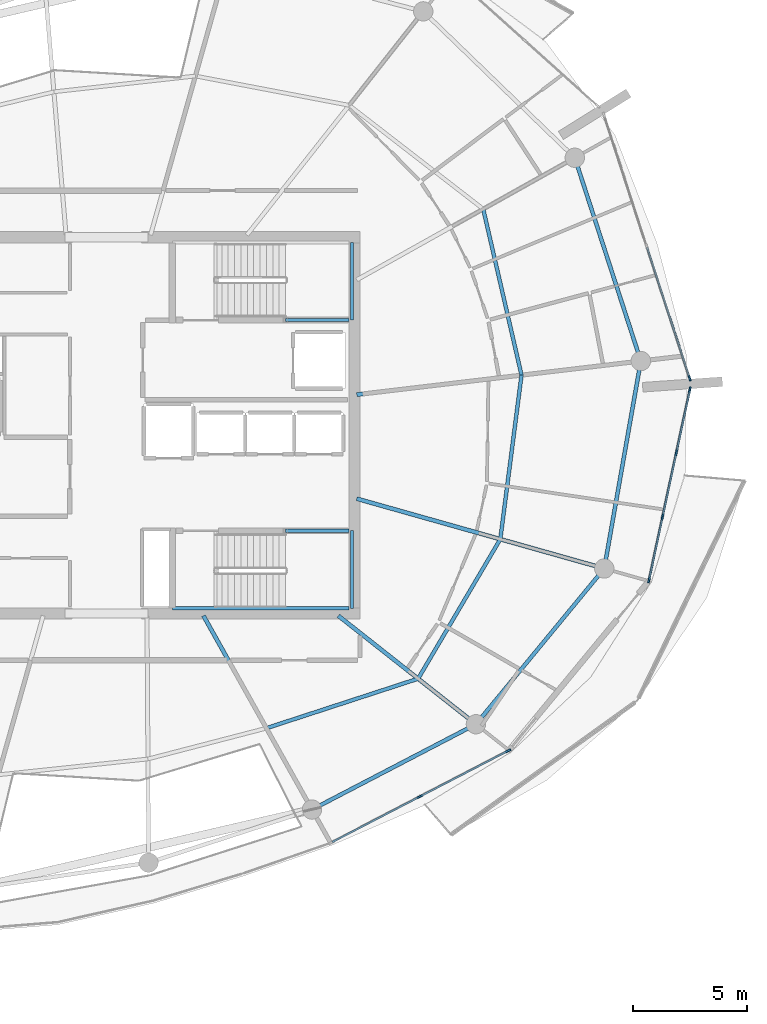
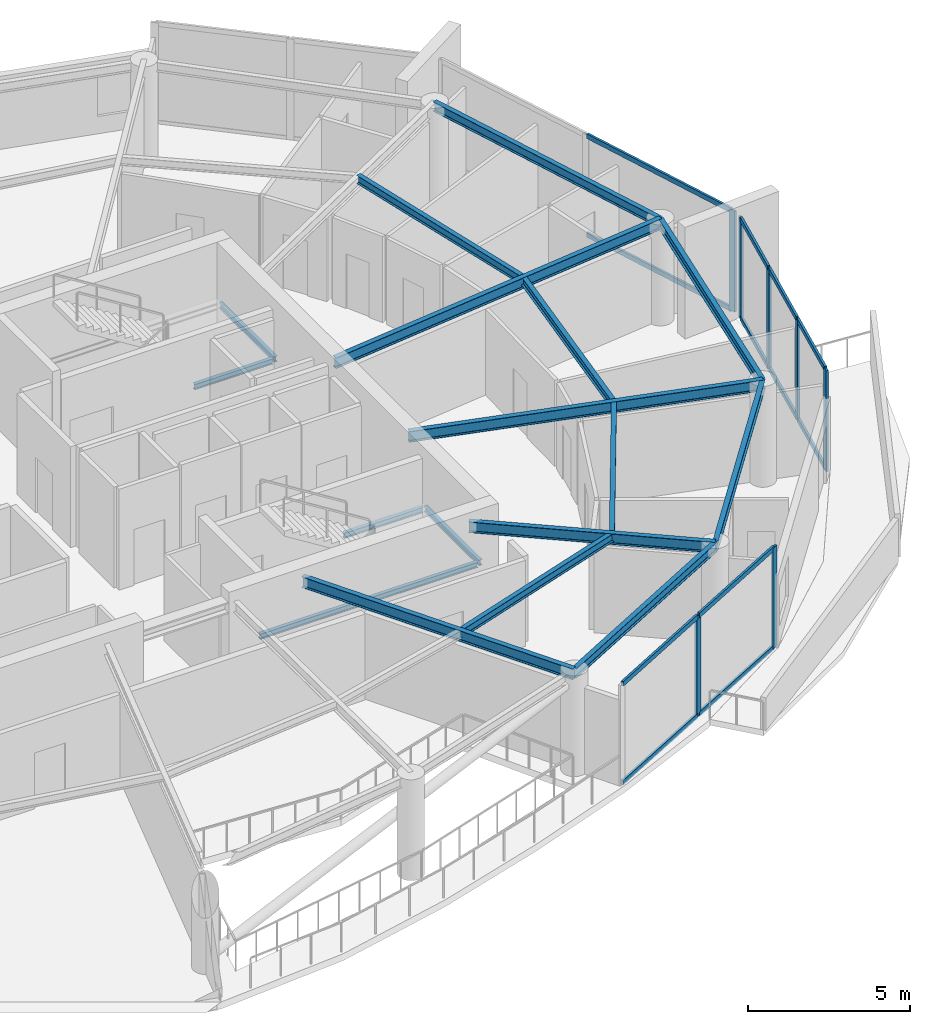
# One storey, part 6 of 21: 19 members, 17 beams, 3 elements without a shape of their own.
"""IFC4 building model written with IfcOpenShell, lengths in metres."""

from ifc_helpers import new_model, si_unit, direction, frame, origin, origin_2d, place, context, subcontext, project, spatial, rectangle, i_section, extrude, material, layer, layer_set, material_profile, profile_set, type_object, element, aggregate, save


model = new_model("IFC4")

# Units and contexts
model_context = context("Model", 3, precision=1e-05, world=origin(), true_north=direction((0.0, 1.0)))
body_context = subcontext(model_context, "Body", "Model", "MODEL_VIEW")
ifc_project = project(units=[si_unit("LENGTHUNIT", "METRE"), si_unit("AREAUNIT", "SQUARE_METRE"), si_unit("VOLUMEUNIT", "CUBIC_METRE"), si_unit("PLANEANGLEUNIT", "RADIAN"), si_unit("MASSUNIT", "GRAM", prefix="KILO")], contexts=[model_context])

# Site, building, storey
site_placement = place(None, origin())
site = spatial("IfcSite", under=ifc_project, at=site_placement, CompositionType="ELEMENT")
building_placement = place(site_placement, origin())
building = spatial("IfcBuilding", under=site, at=building_placement, Name="Kazma Halo Residences", CompositionType="ELEMENT")
storey_placement = place(building_placement, frame((0.0, 0.0, 338.89990234375)))
storey = spatial("IfcBuildingStorey", under=building, at=storey_placement, Name="L85", CompositionType="ELEMENT", Elevation=338.89990234375)

# Beams
ifc_material_1 = material(Name="Steel S355", Category="steel")
ifc_material_profile_1 = material_profile(ifc_material_1, i_section(OverallWidth=0.177978515625, OverallDepth=0.406982421875, WebThickness=0.0078125, FlangeThickness=0.0126953125, FilletRadius=0.013916015625, at=origin_2d()), Name="W410x60")
ifc_profile_set_1 = profile_set([ifc_material_profile_1], Name="Steel S355")
beam_type_1 = type_object("IfcBeamType", Name="BM-RAD-W410", PredefinedType="BEAM", material=ifc_profile_set_1)
beam_1_placement = place(storey_placement, frame((52.67626953125, 33.64990234375, 3.5966796875), z_axis=(0.488620919127, -0.872496187608, 0.0), x_axis=(0.872496187608, 0.488620919127, 0.0)))
element("IfcBeam", 1, at=beam_1_placement, inside=storey, type_object=beam_type_1, Name="L85 radial floor beam 13", PredefinedType="BEAM", context=body_context, shape_type="SweptSolid", body=[
    extrude(i_section(OverallWidth=0.177978515625, OverallDepth=0.406982421875, WebThickness=0.0078125, FlangeThickness=0.0126953125, FilletRadius=0.013916015625, at=origin_2d()), origin(), (0.0, 0.0, 1.0), 9.74267578125),
])
beam_2_placement = place(storey_placement, frame((58.591796875, 33.64990234375, 3.5966796875), z_axis=(0.785337192403, -0.619068246826, 0.0), x_axis=(0.619068246826, 0.785337192403, 0.0)))
element("IfcBeam", 2, at=beam_2_placement, inside=storey, type_object=beam_type_1, Name="L85 radial floor beam 14", PredefinedType="BEAM", context=body_context, shape_type="SweptSolid", body=[
    extrude(i_section(OverallWidth=0.177978515625, OverallDepth=0.406982421875, WebThickness=0.0078125, FlangeThickness=0.0126953125, FilletRadius=0.013916015625, at=origin_2d()), origin(), (0.0, 0.0, 1.0), 7.683837890625),
])
beam_3_placement = place(storey_placement, frame((59.39990234375, 38.784912109375, 3.5966796875), z_axis=(0.962457650844, -0.271431888937, 0.0), x_axis=(0.271431888937, 0.962457650844, 0.0)))
element("IfcBeam", 3, at=beam_3_placement, inside=storey, type_object=beam_type_1, Name="L85 radial floor beam 15", PredefinedType="BEAM", context=body_context, shape_type="SweptSolid", body=[
    extrude(i_section(OverallWidth=0.177978515625, OverallDepth=0.406982421875, WebThickness=0.0078125, FlangeThickness=0.0126953125, FilletRadius=0.013916015625, at=origin_2d()), origin(), (0.0, 0.0, 1.0), 11.279052734375),
])
beam_4_placement = place(storey_placement, frame((59.39990234375, 43.349365234375, 3.5966796875), z_axis=(0.993067878665, 0.117542283299, 0.0), x_axis=(-0.117542283299, 0.993067878665, 0.0)))
element("IfcBeam", 4, at=beam_4_placement, inside=storey, type_object=beam_type_1, Name="L85 radial floor beam 16", PredefinedType="BEAM", context=body_context, shape_type="SweptSolid", body=[
    extrude(i_section(OverallWidth=0.177978515625, OverallDepth=0.406982421875, WebThickness=0.0078125, FlangeThickness=0.0126953125, FilletRadius=0.013916015625, at=origin_2d()), origin(), (0.0, 0.0, 1.0), 12.54736328125),
])
ifc_material_profile_2 = material_profile(ifc_material_1, i_section(OverallWidth=0.1650390625, OverallDepth=0.31005859375, WebThickness=0.005859375, FlangeThickness=0.009765625, FilletRadius=0.011962890625, at=origin_2d()), Name="W310x38.7")
ifc_profile_set_2 = profile_set([ifc_material_profile_2], Name="Steel S355")
beam_type_2 = type_object("IfcBeamType", Name="BM-SEC-W310B", PredefinedType="JOIST", material=ifc_profile_set_2)
beam_5_placement = place(storey_placement, frame((55.437255859375, 28.719482421875, 3.64501953125), z_axis=(0.950669705102, 0.310204951285, 0.0), x_axis=(-0.310204951285, 0.950669705102, 0.0)))
element("IfcBeam", 5, at=beam_5_placement, inside=storey, type_object=beam_type_2, Name="L85 circumferential floor joist 13", PredefinedType="JOIST", context=body_context, shape_type="SweptSolid", body=[
    extrude(i_section(OverallWidth=0.1650390625, OverallDepth=0.31005859375, WebThickness=0.005859375, FlangeThickness=0.009765625, FilletRadius=0.011962890625, at=origin_2d()), origin(), (0.0, 0.0, 1.0), 6.999755859375),
])
beam_6_placement = place(storey_placement, frame((62.091796875, 30.890869140625, 3.64501953125), z_axis=(0.507587951178, 0.861599948827, 0.0), x_axis=(-0.861599948827, 0.507587951178, 0.0)))
element("IfcBeam", 6, at=beam_6_placement, inside=storey, type_object=beam_type_2, Name="L85 circumferential floor joist 14", PredefinedType="JOIST", context=body_context, shape_type="SweptSolid", body=[
    extrude(i_section(OverallWidth=0.1650390625, OverallDepth=0.31005859375, WebThickness=0.005859375, FlangeThickness=0.009765625, FilletRadius=0.011962890625, at=origin_2d()), origin(), (0.0, 0.0, 1.0), 7.101318359375),
])
beam_7_placement = place(storey_placement, frame((65.6962890625, 37.00927734375, 3.64501953125), z_axis=(0.128274562315, 0.991738693741, 0.0), x_axis=(-0.991738693741, 0.128274562315, 0.0)))
element("IfcBeam", 7, at=beam_7_placement, inside=storey, type_object=beam_type_2, Name="L85 circumferential floor joist 15", PredefinedType="JOIST", context=body_context, shape_type="SweptSolid", body=[
    extrude(i_section(OverallWidth=0.1650390625, OverallDepth=0.31005859375, WebThickness=0.005859375, FlangeThickness=0.009765625, FilletRadius=0.011962890625, at=origin_2d()), origin(), (0.0, 0.0, 1.0), 7.25537109375),
])
beam_8_placement = place(storey_placement, frame((66.626953125, 44.20458984375, 3.64501953125), z_axis=(-0.224709269338, 0.974425853656, 0.0), x_axis=(-0.974425853656, -0.224709269338, 0.0)))
element("IfcBeam", 8, at=beam_8_placement, inside=storey, type_object=beam_type_2, Name="L85 circumferential floor joist 16", PredefinedType="JOIST", context=body_context, shape_type="SweptSolid", body=[
    extrude(i_section(OverallWidth=0.1650390625, OverallDepth=0.31005859375, WebThickness=0.005859375, FlangeThickness=0.009765625, FilletRadius=0.011962890625, at=origin_2d()), origin(), (0.0, 0.0, 1.0), 7.47705078125),
])
ifc_material_profile_3 = material_profile(ifc_material_1, i_section(OverallWidth=0.1708984375, OverallDepth=0.35498046875, WebThickness=0.007080078125, FlangeThickness=0.01171875, FilletRadius=0.013916015625, at=origin_2d()), Name="W360x51")
ifc_profile_set_3 = profile_set([ifc_material_profile_3], Name="Steel S355")
beam_type_3 = type_object("IfcBeamType", Name="BM-SPN-W360", PredefinedType="BEAM", material=ifc_profile_set_3)
beam_9_placement = place(storey_placement, frame((57.436767578125, 25.1494140625, 3.62255859375), z_axis=(0.886957269655, 0.461851493238, 0.0), x_axis=(-0.461851493238, 0.886957269655, 0.0)))
element("IfcBeam", 9, at=beam_9_placement, inside=storey, type_object=beam_type_3, Name="L85 perimeter ring beam 13", PredefinedType="BEAM", context=body_context, shape_type="SweptSolid", body=[
    extrude(i_section(OverallWidth=0.1708984375, OverallDepth=0.35498046875, WebThickness=0.007080078125, FlangeThickness=0.01171875, FilletRadius=0.013916015625, at=origin_2d()), origin(), (0.0, 0.0, 1.0), 8.105712890625),
])
beam_10_placement = place(storey_placement, frame((64.626220703125, 28.89306640625, 3.62255859375), z_axis=(0.636004986424, 0.771684946881, 0.0), x_axis=(-0.771684946881, 0.636004986424, 0.0)))
element("IfcBeam", 10, at=beam_10_placement, inside=storey, type_object=beam_type_3, Name="L85 perimeter ring beam 14", PredefinedType="BEAM", context=body_context, shape_type="SweptSolid", body=[
    extrude(i_section(OverallWidth=0.1708984375, OverallDepth=0.35498046875, WebThickness=0.007080078125, FlangeThickness=0.01171875, FilletRadius=0.013916015625, at=origin_2d()), origin(), (0.0, 0.0, 1.0), 8.85107421875),
])
beam_11_placement = place(storey_placement, frame((70.255615234375, 35.723388671875, 3.62255859375), z_axis=(0.173649692956, 0.984807485825, 0.0), x_axis=(-0.984807485825, 0.173649692956, 0.0)))
element("IfcBeam", 11, at=beam_11_placement, inside=storey, type_object=beam_type_3, Name="L85 perimeter ring beam 15", PredefinedType="BEAM", context=body_context, shape_type="SweptSolid", body=[
    extrude(i_section(OverallWidth=0.1708984375, OverallDepth=0.35498046875, WebThickness=0.007080078125, FlangeThickness=0.01171875, FilletRadius=0.013916015625, at=origin_2d()), origin(), (0.0, 0.0, 1.0), 9.2412109375),
])
beam_12_placement = place(storey_placement, frame((71.8603515625, 44.82421875, 3.62255859375), z_axis=(-0.309023062674, 0.951054544564, 0.0), x_axis=(-0.951054544564, -0.309023062674, 0.0)))
element("IfcBeam", 12, at=beam_12_placement, inside=storey, type_object=beam_type_3, Name="L85 perimeter ring beam 16", PredefinedType="BEAM", context=body_context, shape_type="SweptSolid", body=[
    extrude(i_section(OverallWidth=0.1708984375, OverallDepth=0.35498046875, WebThickness=0.007080078125, FlangeThickness=0.01171875, FilletRadius=0.013916015625, at=origin_2d()), origin(), (0.0, 0.0, 1.0), 9.37451171875),
])
ifc_material_profile_4 = material_profile(ifc_material_1, i_section(OverallWidth=0.133056640625, OverallDepth=0.20703125, WebThickness=0.005859375, FlangeThickness=0.00830078125, FilletRadius=0.010009765625, at=origin_2d()), Name="W200x26.6")
ifc_profile_set_4 = profile_set([ifc_material_profile_4], Name="Steel S355")
beam_type_4 = type_object("IfcBeamType", Name="BM-TRIM-W200", PredefinedType="BEAM", material=ifc_profile_set_4)
beam_13_placement = place(storey_placement, frame((56.280029296875, 46.6201171875, 1.795166015625), z_axis=(1.0, 0.0, 0.0), x_axis=(0.0, 1.0, 0.0)))
element("IfcBeam", 13, at=beam_13_placement, inside=storey, type_object=beam_type_4, Name="L85 ST-02 landing south wall ledger", PredefinedType="BEAM", context=body_context, shape_type="SweptSolid", body=[
    extrude(i_section(OverallWidth=0.133056640625, OverallDepth=0.20703125, WebThickness=0.005859375, FlangeThickness=0.00830078125, FilletRadius=0.010009765625, at=origin_2d()), origin(), (0.0, 0.0, 1.0), 2.7900390625),
])
beam_14_placement = place(storey_placement, frame((59.18994140625, 46.6201171875, 1.795166015625), z_axis=(0.0, 1.0, 0.0), x_axis=(-1.0, 0.0, 0.0)))
element("IfcBeam", 14, at=beam_14_placement, inside=storey, type_object=beam_type_4, Name="L85 ST-02 landing end wall ledger", PredefinedType="BEAM", context=body_context, shape_type="SweptSolid", body=[
    extrude(i_section(OverallWidth=0.133056640625, OverallDepth=0.20703125, WebThickness=0.005859375, FlangeThickness=0.00830078125, FilletRadius=0.010009765625, at=origin_2d()), origin(), (0.0, 0.0, 1.0), 3.39990234375),
])
beam_15_placement = place(storey_placement, frame((51.31005859375, 33.97998046875, 1.795166015625), z_axis=(1.0, 0.0, 0.0), x_axis=(0.0, 1.0, 0.0)))
element("IfcBeam", 15, at=beam_15_placement, inside=storey, type_object=beam_type_4, Name="L85 ST-03 landing south wall ledger", PredefinedType="BEAM", context=body_context, shape_type="SweptSolid", body=[
    extrude(i_section(OverallWidth=0.133056640625, OverallDepth=0.20703125, WebThickness=0.005859375, FlangeThickness=0.00830078125, FilletRadius=0.010009765625, at=origin_2d()), origin(), (0.0, 0.0, 1.0), 7.760009765625),
])
beam_16_placement = place(storey_placement, frame((56.280029296875, 37.3798828125, 1.795166015625), z_axis=(1.0, 0.0, 0.0), x_axis=(0.0, 1.0, 0.0)))
element("IfcBeam", 16, at=beam_16_placement, inside=storey, type_object=beam_type_4, Name="L85 ST-03 landing north wall ledger", PredefinedType="BEAM", context=body_context, shape_type="SweptSolid", body=[
    extrude(i_section(OverallWidth=0.133056640625, OverallDepth=0.20703125, WebThickness=0.005859375, FlangeThickness=0.00830078125, FilletRadius=0.010009765625, at=origin_2d()), origin(), (0.0, 0.0, 1.0), 2.7900390625),
])
beam_17_placement = place(storey_placement, frame((59.18994140625, 33.97998046875, 1.795166015625), z_axis=(0.0, 1.0, 0.0), x_axis=(-1.0, 0.0, 0.0)))
element("IfcBeam", 17, at=beam_17_placement, inside=storey, type_object=beam_type_4, Name="L85 ST-03 landing end wall ledger", PredefinedType="BEAM", context=body_context, shape_type="SweptSolid", body=[
    extrude(i_section(OverallWidth=0.133056640625, OverallDepth=0.20703125, WebThickness=0.005859375, FlangeThickness=0.00830078125, FilletRadius=0.010009765625, at=origin_2d()), origin(), (0.0, 0.0, 1.0), 3.39990234375),
])

# Curtain wall, members
ifc_material_2 = material(Name="Aluminium AW-6063 T6 and Triple-Silver Low-E Glass", Category="aluminium")
ifc_layer = layer(ifc_material_2, 0.239990234375)
ifc_layer_set = layer_set([ifc_layer], Name="Aluminium AW-6063 T6 and Triple-Silver Low-E Glass")
curtain_wall_type = type_object("IfcCurtainWallType", Name="CW-SYS-6", PredefinedType="NOTDEFINED", material=ifc_layer_set)
curtain_wall_1_placement = place(storey_placement, origin())
curtain_wall_1 = element("IfcCurtainWall", 18, at=curtain_wall_1_placement, inside=storey, type_object=curtain_wall_type, Name="L85 unitised curtain wall B13", PredefinedType="NOTDEFINED")
ifc_material_3 = material(Name="Aluminium AW-6063 T6", Category="aluminium")
ifc_material_profile_5 = material_profile(ifc_material_3, rectangle(XDim=0.080078125, YDim=0.239990234375, at=origin_2d()), Name="CWM-80x240")
ifc_profile_set_5 = profile_set([ifc_material_profile_5], Name="Aluminium AW-6063 T6")
member_type_1 = type_object("IfcMemberType", Name="CW-SYS-6-MUL", PredefinedType="MULLION", material=ifc_profile_set_5)
member_1_placement = place(storey_placement, frame((62.16552734375, 25.71923828125, 0.0), z_axis=(0.0, 0.0, 1.0), x_axis=(-0.460796020861, 0.887506071618, 0.0)))
member_1 = element("IfcMember", 19, at=member_1_placement, type_object=member_type_1, Name="CWS-6 mullion 2", PredefinedType="MULLION", context=body_context, shape_type="SweptSolid", body=[
    extrude(rectangle(XDim=0.080078125, YDim=0.239990234375, at=origin_2d()), origin(), (0.0, 0.0, 1.0), 3.800048828125),
])
member_2_placement = place(storey_placement, frame((66.041015625, 27.731201171875, 0.0), z_axis=(0.0, 0.0, 1.0), x_axis=(-0.460796020861, 0.887506071618, 0.0)))
member_2 = element("IfcMember", 20, at=member_2_placement, type_object=member_type_1, Name="CWS-6 mullion 3", PredefinedType="MULLION", context=body_context, shape_type="SweptSolid", body=[
    extrude(rectangle(XDim=0.080078125, YDim=0.239990234375, at=origin_2d()), origin(), (0.0, 0.0, 1.0), 3.800048828125),
])

curtain_wall_2_placement = place(storey_placement, origin())
curtain_wall_2 = element("IfcCurtainWall", 21, at=curtain_wall_2_placement, inside=storey, type_object=curtain_wall_type, Name="L85 unitised curtain wall B15", PredefinedType="NOTDEFINED")
member_3_placement = place(storey_placement, frame((72.2158203125, 35.2119140625, 0.0), z_axis=(0.0, 0.0, 1.0), x_axis=(-0.977760865363, 0.209722888986, 0.0)))
member_3 = element("IfcMember", 22, at=member_3_placement, type_object=member_type_1, Name="CWS-6 mullion 1", PredefinedType="MULLION", context=body_context, shape_type="SweptSolid", body=[
    extrude(rectangle(XDim=0.080078125, YDim=0.239990234375, at=origin_2d()), origin(), (0.0, 0.0, 1.0), 3.800048828125),
])
member_4_placement = place(storey_placement, frame((72.81103515625, 37.986572265625, 0.0), z_axis=(0.0, 0.0, 1.0), x_axis=(-0.977760865363, 0.209722888986, 0.0)))
member_4 = element("IfcMember", 23, at=member_4_placement, type_object=member_type_1, Name="CWS-6 mullion 2", PredefinedType="MULLION", context=body_context, shape_type="SweptSolid", body=[
    extrude(rectangle(XDim=0.080078125, YDim=0.239990234375, at=origin_2d()), origin(), (0.0, 0.0, 1.0), 3.800048828125),
])
member_5_placement = place(storey_placement, frame((73.41455078125, 40.80029296875, 0.0), z_axis=(0.0, 0.0, 1.0), x_axis=(-0.977760865363, 0.209722888986, 0.0)))
member_5 = element("IfcMember", 24, at=member_5_placement, type_object=member_type_1, Name="CWS-6 mullion 3", PredefinedType="MULLION", context=body_context, shape_type="SweptSolid", body=[
    extrude(rectangle(XDim=0.080078125, YDim=0.239990234375, at=origin_2d()), origin(), (0.0, 0.0, 1.0), 3.800048828125),
])
member_6_placement = place(storey_placement, frame((74.009765625, 43.574951171875, 0.0), z_axis=(0.0, 0.0, 1.0), x_axis=(-0.977760865363, 0.209722888986, 0.0)))
member_6 = element("IfcMember", 25, at=member_6_placement, type_object=member_type_1, Name="CWS-6 mullion 4", PredefinedType="MULLION", context=body_context, shape_type="SweptSolid", body=[
    extrude(rectangle(XDim=0.080078125, YDim=0.239990234375, at=origin_2d()), origin(), (0.0, 0.0, 1.0), 3.800048828125),
])

# Curtain wall, member
curtain_wall_3_placement = place(storey_placement, origin())
curtain_wall_3 = element("IfcCurtainWall", 26, at=curtain_wall_3_placement, inside=storey, type_object=curtain_wall_type, Name="L85 unitised curtain wall B16", PredefinedType="NOTDEFINED")
member_7_placement = place(storey_placement, frame((73.9990234375, 44.062255859375, 0.0), z_axis=(0.0, 0.0, 1.0), x_axis=(-0.951055886462, -0.309018932797, 0.0)))
member_7 = element("IfcMember", 27, at=member_7_placement, type_object=member_type_1, Name="CWS-6 mullion 1", PredefinedType="MULLION", context=body_context, shape_type="SweptSolid", body=[
    extrude(rectangle(XDim=0.080078125, YDim=0.239990234375, at=origin_2d()), origin(), (0.0, 0.0, 1.0), 3.800048828125),
])

# Member
ifc_material_profile_6 = material_profile(ifc_material_3, rectangle(XDim=0.080078125, YDim=0.179931640625, at=origin_2d()), Name="CWT-80x180")
ifc_profile_set_6 = profile_set([ifc_material_profile_6], Name="Aluminium AW-6063 T6")
member_type_2 = type_object("IfcMemberType", Name="CW-SYS-6-TRN", PredefinedType="USERDEFINED", material=ifc_profile_set_6)
member_8_placement = place(storey_placement, frame((58.32568359375, 23.7255859375, 0.0400390625), z_axis=(0.88752339951, 0.460762645321, 0.0), x_axis=(-0.460762645321, 0.88752339951, 0.0)))
member_8 = element("IfcMember", 28, at=member_8_placement, type_object=member_type_2, Name="CWS-6 transom 1.1", ObjectType="TRANSOM", PredefinedType="USERDEFINED", context=body_context, shape_type="SweptSolid", body=[
    extrude(rectangle(XDim=0.080078125, YDim=0.179931640625, at=origin_2d()), origin(), (0.0, 0.0, 1.0), 4.28662109375),
])

member_9_placement = place(storey_placement, frame((58.32568359375, 23.7255859375, 3.760009765625), z_axis=(0.88752339951, 0.460762645321, 0.0), x_axis=(-0.460762645321, 0.88752339951, 0.0)))
member_9 = element("IfcMember", 29, at=member_9_placement, type_object=member_type_2, Name="CWS-6 transom 1.2", ObjectType="TRANSOM", PredefinedType="USERDEFINED", context=body_context, shape_type="SweptSolid", body=[
    extrude(rectangle(XDim=0.080078125, YDim=0.179931640625, at=origin_2d()), origin(), (0.0, 0.0, 1.0), 4.28662109375),
])

member_10_placement = place(storey_placement, frame((62.201171875, 25.737548828125, 0.0400390625), z_axis=(0.887488013571, 0.4608307995, 0.0), x_axis=(-0.4608307995, 0.887488013571, 0.0)))
member_10 = element("IfcMember", 30, at=member_10_placement, type_object=member_type_2, Name="CWS-6 transom 2.1", ObjectType="TRANSOM", PredefinedType="USERDEFINED", context=body_context, shape_type="SweptSolid", body=[
    extrude(rectangle(XDim=0.080078125, YDim=0.179931640625, at=origin_2d()), origin(), (0.0, 0.0, 1.0), 4.286376953125),
])

member_11_placement = place(storey_placement, frame((62.201171875, 25.737548828125, 3.760009765625), z_axis=(0.887488013571, 0.4608307995, 0.0), x_axis=(-0.4608307995, 0.887488013571, 0.0)))
member_11 = element("IfcMember", 31, at=member_11_placement, type_object=member_type_2, Name="CWS-6 transom 2.2", ObjectType="TRANSOM", PredefinedType="USERDEFINED", context=body_context, shape_type="SweptSolid", body=[
    extrude(rectangle(XDim=0.080078125, YDim=0.179931640625, at=origin_2d()), origin(), (0.0, 0.0, 1.0), 4.286376953125),
])

aggregate(curtain_wall_1, [member_1, member_2, member_8, member_9, member_10, member_11])

member_12_placement = place(storey_placement, frame((72.224365234375, 35.2509765625, 0.0400390625), z_axis=(0.209716499477, 0.977762235846, 0.0), x_axis=(-0.977762235846, 0.209716499477, 0.0)))
member_12 = element("IfcMember", 32, at=member_12_placement, type_object=member_type_2, Name="CWS-6 transom 1.1", ObjectType="TRANSOM", PredefinedType="USERDEFINED", context=body_context, shape_type="SweptSolid", body=[
    extrude(rectangle(XDim=0.080078125, YDim=0.179931640625, at=origin_2d()), origin(), (0.0, 0.0, 1.0), 2.7578125),
])

member_13_placement = place(storey_placement, frame((72.224365234375, 35.2509765625, 3.760009765625), z_axis=(0.209716499477, 0.977762235846, 0.0), x_axis=(-0.977762235846, 0.209716499477, 0.0)))
member_13 = element("IfcMember", 33, at=member_13_placement, type_object=member_type_2, Name="CWS-6 transom 1.2", ObjectType="TRANSOM", PredefinedType="USERDEFINED", context=body_context, shape_type="SweptSolid", body=[
    extrude(rectangle(XDim=0.080078125, YDim=0.179931640625, at=origin_2d()), origin(), (0.0, 0.0, 1.0), 2.7578125),
])

member_14_placement = place(storey_placement, frame((72.8193359375, 38.025634765625, 0.0400390625), z_axis=(0.209773410621, 0.977750027459, 0.0), x_axis=(-0.977750027459, 0.209773410621, 0.0)))
member_14 = element("IfcMember", 34, at=member_14_placement, type_object=member_type_2, Name="CWS-6 transom 2.1", ObjectType="TRANSOM", PredefinedType="USERDEFINED", context=body_context, shape_type="SweptSolid", body=[
    extrude(rectangle(XDim=0.080078125, YDim=0.179931640625, at=origin_2d()), origin(), (0.0, 0.0, 1.0), 2.7978515625),
])

member_15_placement = place(storey_placement, frame((72.8193359375, 38.025634765625, 3.760009765625), z_axis=(0.209773410621, 0.977750027459, 0.0), x_axis=(-0.977750027459, 0.209773410621, 0.0)))
member_15 = element("IfcMember", 35, at=member_15_placement, type_object=member_type_2, Name="CWS-6 transom 2.2", ObjectType="TRANSOM", PredefinedType="USERDEFINED", context=body_context, shape_type="SweptSolid", body=[
    extrude(rectangle(XDim=0.080078125, YDim=0.179931640625, at=origin_2d()), origin(), (0.0, 0.0, 1.0), 2.7978515625),
])

member_16_placement = place(storey_placement, frame((73.4228515625, 40.83935546875, 0.0400390625), z_axis=(0.209716499477, 0.977762235846, 0.0), x_axis=(-0.977762235846, 0.209716499477, 0.0)))
member_16 = element("IfcMember", 36, at=member_16_placement, type_object=member_type_2, Name="CWS-6 transom 3.1", ObjectType="TRANSOM", PredefinedType="USERDEFINED", context=body_context, shape_type="SweptSolid", body=[
    extrude(rectangle(XDim=0.080078125, YDim=0.179931640625, at=origin_2d()), origin(), (0.0, 0.0, 1.0), 2.7578125),
])

member_17_placement = place(storey_placement, frame((73.4228515625, 40.83935546875, 3.760009765625), z_axis=(0.209716499477, 0.977762235846, 0.0), x_axis=(-0.977762235846, 0.209716499477, 0.0)))
member_17 = element("IfcMember", 37, at=member_17_placement, type_object=member_type_2, Name="CWS-6 transom 3.2", ObjectType="TRANSOM", PredefinedType="USERDEFINED", context=body_context, shape_type="SweptSolid", body=[
    extrude(rectangle(XDim=0.080078125, YDim=0.179931640625, at=origin_2d()), origin(), (0.0, 0.0, 1.0), 2.7578125),
])

aggregate(curtain_wall_2, [member_3, member_4, member_5, member_6, member_12, member_13, member_14, member_15, member_16, member_17])

member_18_placement = place(storey_placement, frame((73.986572265625, 44.100341796875, 0.0400390625), z_axis=(-0.309007770724, 0.951059513191, 0.0), x_axis=(-0.951059513191, -0.309007770724, 0.0)))
member_18 = element("IfcMember", 38, at=member_18_placement, type_object=member_type_2, Name="CWS-6 transom 1.1", ObjectType="TRANSOM", PredefinedType="USERDEFINED", context=body_context, shape_type="SweptSolid", body=[
    extrude(rectangle(XDim=0.080078125, YDim=0.179931640625, at=origin_2d()), origin(), (0.0, 0.0, 1.0), 5.99267578125),
])

member_19_placement = place(storey_placement, frame((73.986572265625, 44.100341796875, 3.760009765625), z_axis=(-0.309007770724, 0.951059513191, 0.0), x_axis=(-0.951059513191, -0.309007770724, 0.0)))
member_19 = element("IfcMember", 39, at=member_19_placement, type_object=member_type_2, Name="CWS-6 transom 1.2", ObjectType="TRANSOM", PredefinedType="USERDEFINED", context=body_context, shape_type="SweptSolid", body=[
    extrude(rectangle(XDim=0.080078125, YDim=0.179931640625, at=origin_2d()), origin(), (0.0, 0.0, 1.0), 5.99267578125),
])

aggregate(curtain_wall_3, [member_7, member_18, member_19])

save(model, "model.ifc")
